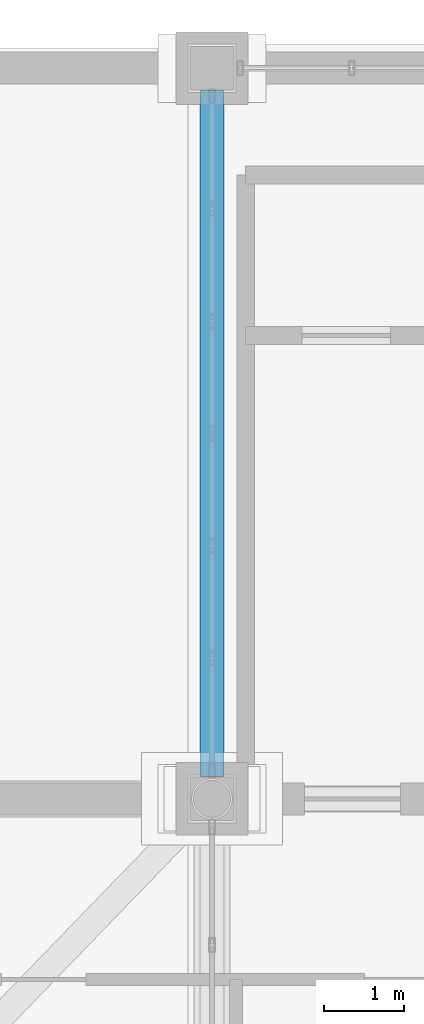
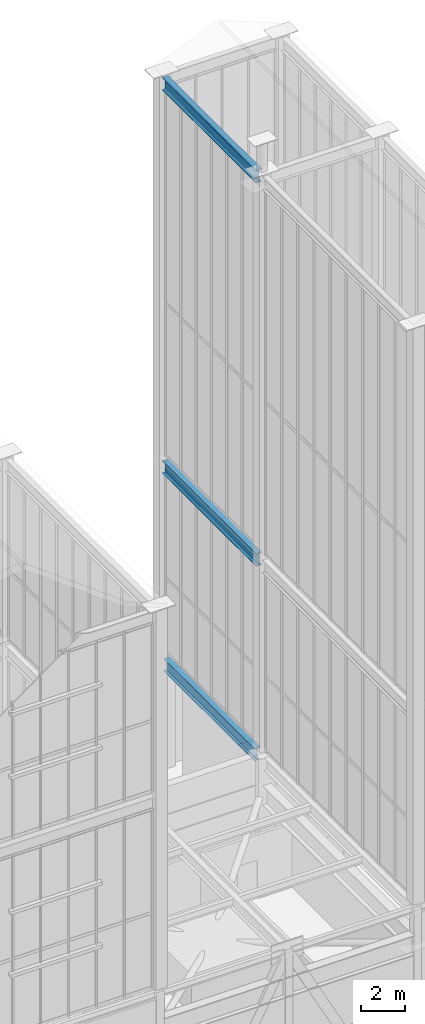
# One storey, part 91 of 135: 3 beams.
"""IFC4 building model written with IfcOpenShell, lengths in metres."""

from ifc_helpers import new_model, si_unit, direction, frame, origin, origin_2d, place, context, subcontext, project, spatial, i_section, extrude, source, transform, mapped, material, material_profile, profile_set, type_object, element, save


model = new_model("IFC4")

# Units and contexts
model_context = context("Model", 3, precision=1e-05, world=origin(), true_north=direction((0.0, 1.0)))
body_context = subcontext(model_context, "Body", "Model", "MODEL_VIEW")
ifc_project = project(units=[si_unit("LENGTHUNIT", "METRE"), si_unit("AREAUNIT", "SQUARE_METRE"), si_unit("VOLUMEUNIT", "CUBIC_METRE"), si_unit("PLANEANGLEUNIT", "RADIAN"), si_unit("MASSUNIT", "GRAM", prefix="KILO")], contexts=[model_context])

# Site, building, storey
site_placement = place(None, origin())
site = spatial("IfcSite", under=ifc_project, at=site_placement, CompositionType="ELEMENT")
building_placement = place(site_placement, origin())
building = spatial("IfcBuilding", under=site, at=building_placement, Name="Giltprow Tower", CompositionType="ELEMENT")
storey_placement = place(building_placement, frame((0.0, 0.0, 352.699951171875)))
storey = spatial("IfcBuildingStorey", under=building, at=storey_placement, Name="L92", CompositionType="ELEMENT", Elevation=352.699951171875)

# Beams
ifc_material = material(Name="Structural steel Q355B", Category="steel")
ifc_material_profile_1 = material_profile(ifc_material, i_section(OverallWidth=0.300048828125, OverallDepth=0.699951171875, WebThickness=0.012939453125, FlangeThickness=0.02392578125, at=origin_2d()), Name="HN 700x300x13x24")
ifc_profile_set_1 = profile_set([ifc_material_profile_1], Name="Structural steel Q355B")
beam_type_1 = type_object("IfcBeamType", Name="BM-GIRD-HN700", PredefinedType="BEAM", material=ifc_profile_set_1)
shared_shape_1 = source(origin(), body_context, "Body", "SweptSolid", [
    extrude(i_section(OverallWidth=0.300048828125, OverallDepth=0.699951171875, WebThickness=0.012939453125, FlangeThickness=0.02392578125, at=origin_2d()), origin(), (0.0, 0.0, 1.0), 8.22998046875),
])
beam_placement = place(storey_placement, frame((44.300048828125, 37.885009765625, 5.81005859375), z_axis=(0.0, 1.0, 0.0), x_axis=(-1.0, 0.0, 0.0)))
element("IfcBeam", 1, at=beam_placement, inside=storey, type_object=beam_type_1, Name="L92 Core Tie Girder M3", PredefinedType="BEAM", context=body_context, shape_type="MappedRepresentation", body=[
    mapped(shared_shape_1, transform((0.0, 0.0, 0.0), x_axis=(1.0, 0.0, 0.0), y_axis=(0.0, 1.0, 0.0), z_axis=(0.0, 0.0, 1.0), scale=1.0)),
])
ifc_material_profile_2 = material_profile(ifc_material, i_section(OverallWidth=0.300048828125, OverallDepth=0.699951171875, WebThickness=0.012939453125, FlangeThickness=0.02392578125, at=origin_2d()), Name="HN 700x300x13x24")
ifc_profile_set_2 = profile_set([ifc_material_profile_2], Name="Structural steel Q355B")
beam_type_2 = type_object("IfcBeamType", Name="BM-CRN-RING-HN700", PredefinedType="BEAM", material=ifc_profile_set_2)
shared_shape_2 = source(origin(), body_context, "Body", "SweptSolid", [
    extrude(i_section(OverallWidth=0.300048828125, OverallDepth=0.699951171875, WebThickness=0.012939453125, FlangeThickness=0.02392578125, at=origin_2d()), origin(), (0.0, 0.0, 1.0), 8.5400390625),
])
for number, where, z_axis, x_axis, name in (
    (2, (44.300048828125, 46.27001953125, 16.699951171875), (0.0, -1.0, 0.0), (1.0, 0.0, 0.0), "Crown Frame East Ring Beam 1-5"),
    (3, (44.300048828125, 46.27001953125, 37.966064453125), (0.0, -1.0, 0.0), (1.0, 0.0, 0.0), "Crown Frame East Ring Beam 2-5"),
):
    element("IfcBeam", number, at=place(storey_placement, frame(where, z_axis=z_axis, x_axis=x_axis)), inside=storey, type_object=beam_type_2, Name=name, PredefinedType="BEAM", context=body_context, shape_type="MappedRepresentation", body=[
        mapped(shared_shape_2, transform((0.0, 0.0, 0.0), x_axis=(1.0, 0.0, 0.0), y_axis=(0.0, 1.0, 0.0), z_axis=(0.0, 0.0, 1.0), scale=1.0)),
    ])

save(model, "model.ifc")
